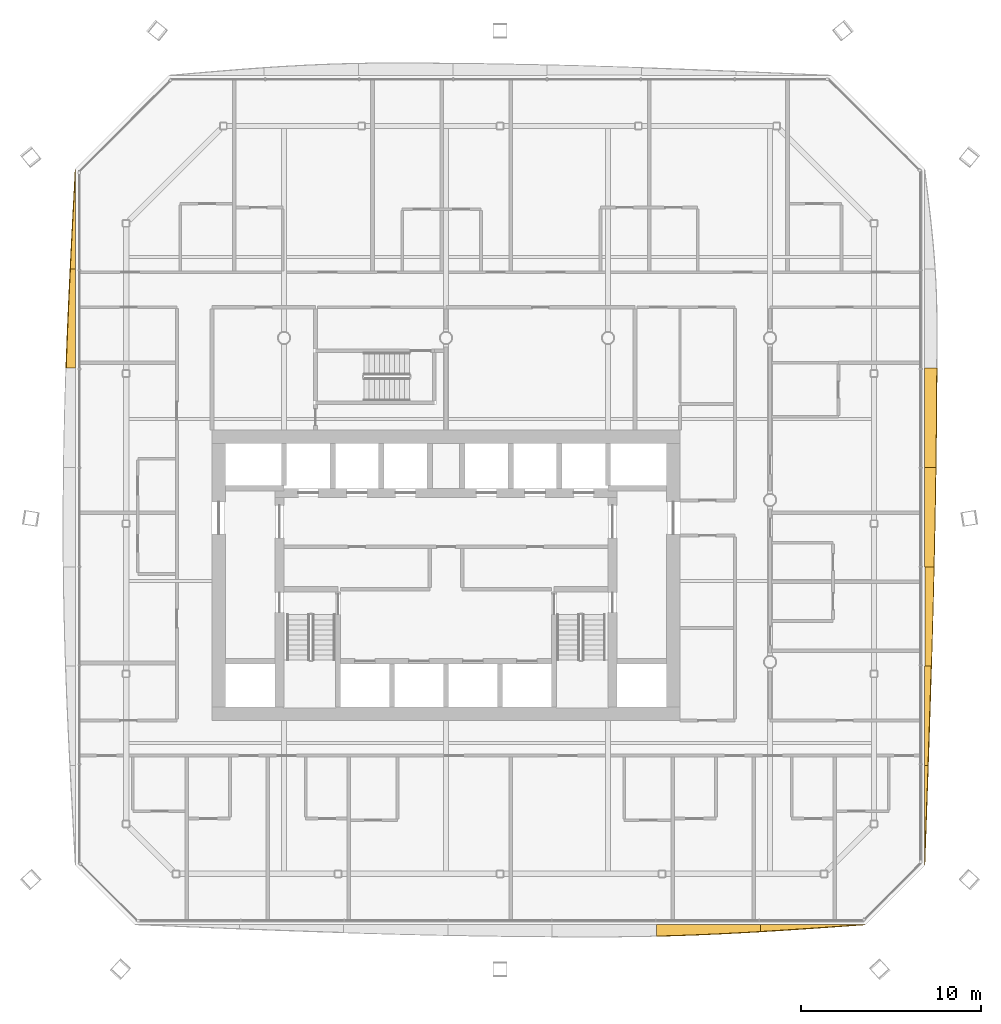
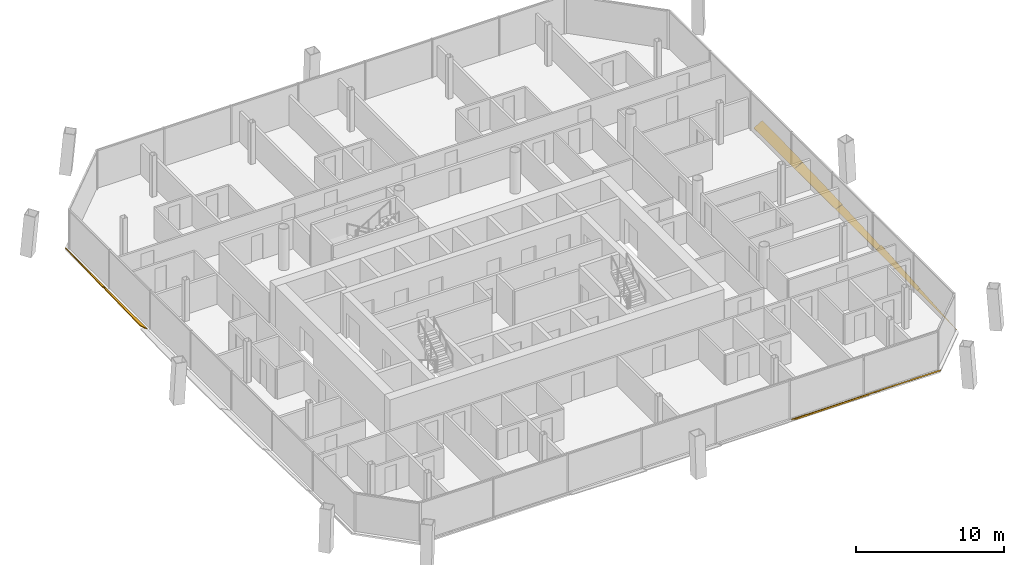
# One storey, part 19 of 21: 9 shading devices.
"""IFC4 building model written with IfcOpenShell, lengths in metres."""

from ifc_helpers import new_model, si_unit, direction, frame, origin, place, context, subcontext, project, spatial, polyline, outline, extrude, material, layer, layer_set, type_object, element, save


model = new_model("IFC4")

# Units and contexts
model_context = context("Model", 3, precision=1e-05, world=origin(), true_north=direction((0.0, 1.0)))
body_context = subcontext(model_context, "Body", "Model", "MODEL_VIEW")
ifc_project = project(units=[si_unit("LENGTHUNIT", "METRE"), si_unit("AREAUNIT", "SQUARE_METRE"), si_unit("VOLUMEUNIT", "CUBIC_METRE"), si_unit("PLANEANGLEUNIT", "RADIAN"), si_unit("MASSUNIT", "GRAM", prefix="KILO")], contexts=[model_context])

# Site, building, storey
site_placement = place(None, origin())
site = spatial("IfcSite", under=ifc_project, at=site_placement, CompositionType="ELEMENT")
building_placement = place(site_placement, origin())
building = spatial("IfcBuilding", under=site, at=building_placement, Name="Tskaro Facet Tower", CompositionType="ELEMENT")
storey_placement = place(building_placement, frame((0.0, 0.0, 128.300048828125)))
storey = spatial("IfcBuildingStorey", under=building, at=storey_placement, Name="L30", CompositionType="ELEMENT", Elevation=128.300048828125)

# Shading devices
ifc_material = material(Name="Bronze anodised aluminium 6063-T6", Category="aluminium")
ifc_layer = layer(ifc_material, 0.06005859375, Name="Bronze anodised aluminium 6063-T6")
ifc_layer_set = layer_set([ifc_layer], Name="Bronze anodised aluminium 6063-T6")
shading_device_type = type_object("IfcShadingDeviceType", Name="Bronze sun blade (FN1)", PredefinedType="USERDEFINED", material=ifc_layer_set)
shading_device_1_placement = place(storey_placement, frame((11.687255859375, -23.58251953125, 0.049072265625), z_axis=(-1.4056047e-05, 0.573558467296, 0.819164625942), x_axis=(0.999999999901, 8.061965e-06, 1.1514216e-05)))
element("IfcShadingDevice", 1, at=shading_device_1_placement, inside=storey, type_object=shading_device_type, Name="Fin blade south 6", ObjectType="FIN", PredefinedType="USERDEFINED", context=body_context, shape_type="SweptSolid", body=[
    extrude(outline(polyline([(0.0, 0.0), (5.791259765052904, 0.0), (5.791259765109318, -0.477158595743605), (5.06738281197227, -0.5278205693859257), (4.343505858840137, -0.5755024269316393), (3.6196289068383374, -0.6196641567305018), (2.8955078105625542, -0.6603657212235948), (2.1716308599785865, -0.6971471752422864), (1.4477539068710292, -0.7299284523049645), (0.7238769532081355, -0.758509561047854), (-1.852929564862308e-09, -0.782550481184486), (0.0, 0.0)])), origin(), (0.0, 0.0, -1.0), 0.06005859375),
])
shading_device_2_placement = place(storey_placement, frame((17.478515625, -23.578369140625, 0.0458984375), z_axis=(2.7127946e-05, 0.642717611297, 0.766103172812), x_axis=(0.999999999632, -1.7435609e-05, -2.0782806e-05)))
element("IfcShadingDevice", 2, at=shading_device_2_placement, inside=storey, type_object=shading_device_type, Name="Fin blade south 7", ObjectType="FIN", PredefinedType="USERDEFINED", context=body_context, shape_type="SweptSolid", body=[
    extrude(outline(polyline([(0.0, 0.0), (5.791503904118942, 0.0), (5.06762694971305, -0.06792637410486216), (4.343505860573362, -0.13535188434347406), (3.6196289043622905, -0.20205937038022675), (2.8957519556767064, -0.26757809177698527), (2.1718749966724604, -0.331503851290647), (1.4479980468280758, -0.39355294539057073), (0.7238769527484203, -0.4531642633542755), (-4.316685276401641e-09, -0.5103378051817613), (0.0, 0.0)])), origin(), (0.0, 0.0, -1.0), 0.06005859375),
])
shading_device_3_placement = place(storey_placement, frame((26.58251953125, -20.27001953125, 0.049072265625), z_axis=(-0.573117448332, -3.818968e-06, 0.81947323959), x_axis=(-2.188717e-06, 0.999999999993, 3.129542e-06)))
element("IfcShadingDevice", 3, at=shading_device_3_placement, inside=storey, type_object=shading_device_type, Name="Fin blade east 1", ObjectType="FIN", PredefinedType="USERDEFINED", context=body_context, shape_type="SweptSolid", body=[
    extrude(outline(polyline([(0.0, 0.0), (5.518066406209761, 1.1684960128077207e-21), (5.518066406283563, -0.23596920706485097), (4.828369141304766, -0.2071880124165948), (4.138671875332228, -0.17792690855538282), (3.448974609359689, -0.14866580469417082), (2.7590332032965073, -0.11920463412407323), (2.069335937094275, -0.08960354230194054), (1.379638671426398, -0.05980238377092223), (0.6896972651335225, -0.030001225239903923), (0.0, 0.0)])), origin(), (0.0, 0.0, -1.0), 0.06005859375),
])
shading_device_4_placement = place(storey_placement, frame((26.578369140625, -14.751953125, 0.0458984375), z_axis=(-0.642724545303, -1.5463855e-05, 0.76609735584), x_axis=(-9.938999e-06, 0.99999999988, 1.1846819e-05)))
element("IfcShadingDevice", 4, at=shading_device_4_placement, inside=storey, type_object=shading_device_type, Name="Fin blade east 2", ObjectType="FIN", PredefinedType="USERDEFINED", context=body_context, shape_type="SweptSolid", body=[
    extrude(outline(polyline([(0.0, 0.0), (5.518310546215202, 0.0), (5.5183105475447745, -0.4838297991013101), (4.828369139386058, -0.456633890282564), (4.138671873813048, -0.42890699531702986), (3.4489746102007763, -0.4006491142047075), (2.7592773432304387, -0.3718903672606733), (2.0693359375958678, -0.342600634169851), (1.3796386721204912, -0.31296695041952866), (0.6899414057135621, -0.2826453653502063), (-1.3183374800472578e-09, -0.2523237802808839), (0.0, 0.0)])), origin(), (0.0, 0.0, -1.0), 0.06005859375),
])
shading_device_5_placement = place(storey_placement, frame((26.596435546875, -9.233642578125, 0.056396484375), z_axis=(-0.341897503957, -1.2811856e-05, 0.939737248716), x_axis=(-4.380342e-06, 0.999999999918, 1.2039778e-05)))
element("IfcShadingDevice", 5, at=shading_device_5_placement, inside=storey, type_object=shading_device_type, Name="Fin blade east 3", ObjectType="FIN", PredefinedType="USERDEFINED", context=body_context, shape_type="SweptSolid", body=[
    extrude(outline(polyline([(0.0, 0.0), (5.518066405797122, 0.0), (5.518066406774746, -0.5510565375405606), (4.82836913937247, -0.5335980821526826), (4.138427733484055, -0.5156807706862924), (3.4487304684894777, -0.4969917040318251), (2.7590332037637593, -0.47753088218928075), (2.069335937168061, -0.4577571612371715), (1.379394530216242, -0.4372116850969851), (0.6896972670976609, -0.4159779248390306), (-8.302987075474365e-10, -0.39434779440120227), (0.0, 0.0)])), origin(), (0.0, 0.0, -1.0), 0.06005859375),
])
shading_device_6_placement = place(storey_placement, frame((26.591552734375, -3.715576171875, 0.054443359375), z_axis=(-0.422401344735, -1.36445e-07, 0.906408905498), x_axis=(-5.7635e-08, 1.0, 1.23675e-07)))
element("IfcShadingDevice", 6, at=shading_device_6_placement, inside=storey, type_object=shading_device_type, Name="Fin blade east 4", ObjectType="FIN", PredefinedType="USERDEFINED", context=body_context, shape_type="SweptSolid", body=[
    extrude(outline(polyline([(0.0, 0.0), (5.5180664062499485, 3.651550040024127e-23), (5.518066406239633, -0.6868055435949838), (4.828369140615809, -0.6752275138510596), (4.138671875004002, -0.6628824850687495), (3.448730468749021, -0.6496673319197489), (2.759033203131058, -0.6356851797323623), (2.0693359375089906, -0.6206116119415914), (1.379638671884871, -0.6049923363491284), (0.6896972656175759, -0.588502936389975), (-1.2700221353226036e-11, -0.5712465373924356), (0.0, 0.0)])), origin(), (0.0, 0.0, -1.0), 0.06005859375),
])
shading_device_7_placement = place(storey_placement, frame((26.5869140625, 1.802490234375, 0.052001953125), z_axis=(-0.499823940025, -1.623904e-06, 0.866127028198), x_axis=(-8.11666e-07, 0.999999999999, 1.406507e-06)))
element("IfcShadingDevice", 7, at=shading_device_7_placement, inside=storey, type_object=shading_device_type, Name="Fin blade east 5", ObjectType="FIN", PredefinedType="USERDEFINED", context=body_context, shape_type="SweptSolid", body=[
    extrude(outline(polyline([(0.0, 0.0), (5.518310546867724, -5.842738557980026e-22), (5.518310547036142, -0.7808570186066628), (4.828369140668992, -0.776586920734783), (4.138671875032713, -0.7712269410287118), (3.4489746093041456, -0.7649885362824431), (2.7590332030564495, -0.757660249701983), (2.069335937539625, -0.7492420812873314), (1.3796386717323508, -0.7401569446264762), (0.6899414062291084, -0.7297704693374356), (1.5380240869745917e-10, -0.7188390531312993), (0.0, 0.0)])), origin(), (0.0, 0.0, -1.0), 0.06005859375),
])
shading_device_8_placement = place(storey_placement, frame((-20.58251953125, 18.35693359375, 0.049072265625), z_axis=(0.573692818446, -1.0605635e-05, 0.819070540278), x_axis=(-6.084377e-06, -0.999999999944, -8.686763e-06)))
element("IfcShadingDevice", 8, at=shading_device_8_placement, inside=storey, type_object=shading_device_type, Name="Fin blade west 1", ObjectType="FIN", PredefinedType="USERDEFINED", context=body_context, shape_type="SweptSolid", body=[
    extrude(outline(polyline([(0.0, 0.0), (5.518066405939666, 4.673984051230883e-21), (5.518066406559497, -0.34989363064682066), (4.82836914021344, -0.3085120367753822), (4.1384277351484435, -0.2661103525532585), (3.4487304683728928, -0.22296870142697228), (2.7590332028680398, -0.17914699006689594), (2.069335936513091, -0.1347852801962908), (1.3793945301685042, -0.09008354020879059), (0.6896972665696957, -0.045241738498029004), (0.0, 0.0)])), origin(), (0.0, 0.0, -1.0), 0.06005859375),
])
shading_device_9_placement = place(storey_placement, frame((-20.578369140625, 12.8388671875, 0.0458984375), z_axis=(0.642737042941, 2.191074e-06, 0.766086870809), x_axis=(1.408284e-06, -0.999999999998, 1.678553e-06)))
element("IfcShadingDevice", 9, at=shading_device_9_placement, inside=storey, type_object=shading_device_type, Name="Fin blade west 2", ObjectType="FIN", PredefinedType="USERDEFINED", context=body_context, shape_type="SweptSolid", body=[
    extrude(outline(polyline([(0.0, 0.0), (5.518066406236755, -1.1684960128077207e-21), (5.518066406285265, -0.6791369517773886), (4.828369140554432, -0.6469085771186827), (4.138671874837497, -0.6127734137784386), (3.44873046891927, -0.576888379980031), (2.7590332032961236, -0.5392835904275292), (2.0693359373430598, -0.49995904512093337), (1.3796386718796843, -0.4592285805069928), (0.6896972655933588, -0.4174662624405957), (1.191788774048089e-11, -0.37414110684347923), (0.0, 0.0)])), origin(), (0.0, 0.0, -1.0), 0.06005859375),
])

save(model, "model.ifc")
